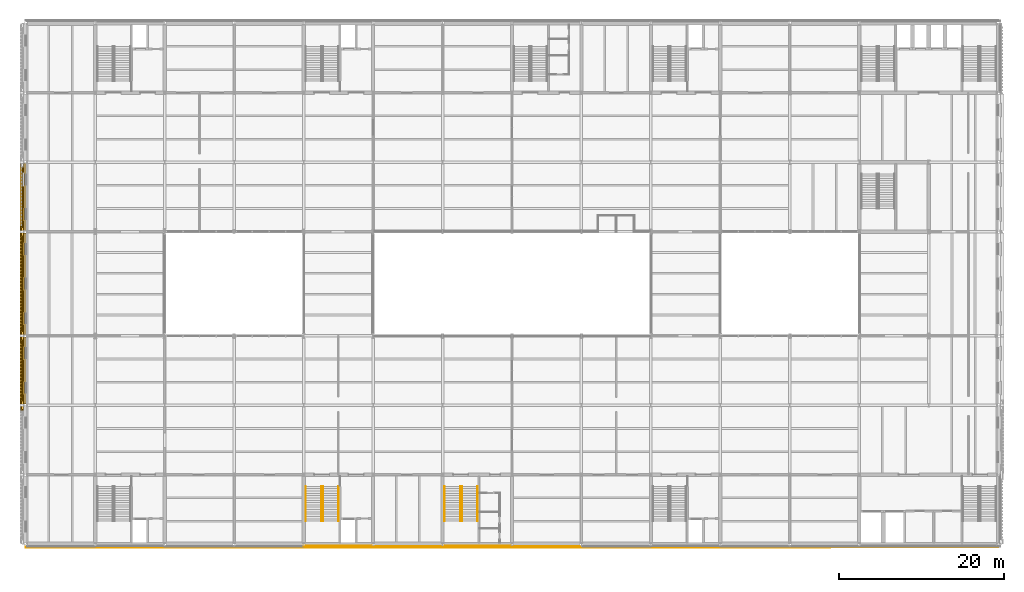
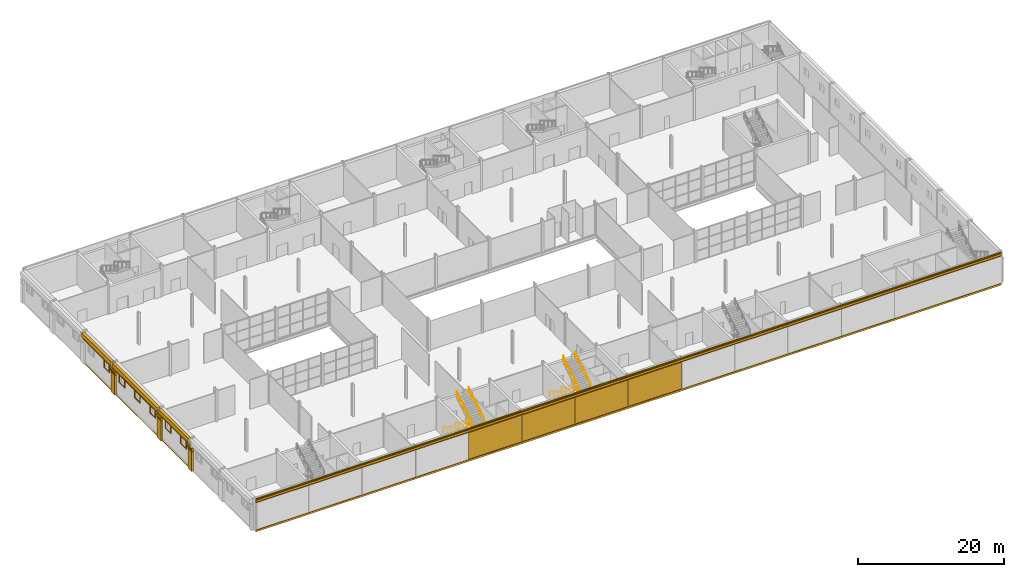
# One storey, part 40 of 57: 29 coverings, 8 railings.
"""IFC4 building model written with IfcOpenShell, lengths in metres."""

from ifc_helpers import new_model, si_unit, direction, frame, origin, origin_2d, place, context, subcontext, project, spatial, polyline, rectangle, circle, outline, extrude, material, layer, layer_set, type_object, element, save


model = new_model("IFC4")

# Units and contexts
model_context = context("Model", 3, precision=1e-05, world=origin(), true_north=direction((0.0, 1.0)))
body_context = subcontext(model_context, "Body", "Model", "MODEL_VIEW")
ifc_project = project(units=[si_unit("LENGTHUNIT", "METRE"), si_unit("AREAUNIT", "SQUARE_METRE"), si_unit("VOLUMEUNIT", "CUBIC_METRE"), si_unit("PLANEANGLEUNIT", "RADIAN"), si_unit("MASSUNIT", "GRAM", prefix="KILO")], contexts=[model_context])

# Site, building, storey
site_placement = place(None, origin())
site = spatial("IfcSite", under=ifc_project, at=site_placement, CompositionType="ELEMENT")
building_placement = place(site_placement, origin())
building = spatial("IfcBuilding", under=site, at=building_placement, Name="Galleria Vessillo Department Store", CompositionType="ELEMENT")
storey_placement = place(building_placement, frame((0.0, 0.0, 25.800048828125)))
storey = spatial("IfcBuildingStorey", under=building, at=storey_placement, Name="L05", CompositionType="ELEMENT", Elevation=25.800048828125)

# Coverings
ifc_material_1 = material(Name="Lime plaster (intonaco) ochre")
ifc_layer_1 = layer(ifc_material_1, 0.030029296875)
ifc_layer_set_1 = layer_set([ifc_layer_1], Name="Lime plaster (intonaco) ochre")
covering_type_1 = type_object("IfcCoveringType", Name="Lime plaster render 30 mm", PredefinedType="CLADDING", material=ifc_layer_set_1)
covering_1_placement = place(storey_placement, frame((37.800048828125, -0.215087890625, 0.0), z_axis=(0.0, 0.0, 1.0), x_axis=(1.0, 0.0, 0.0)))
element("IfcCovering", 1, at=covering_1_placement, inside=storey, type_object=covering_type_1, Name="Wall cladding S-CW-PC-SM-PARTY-L05", PredefinedType="CLADDING", context=body_context, shape_type="SweptSolid", body=[
    extrude(rectangle(XDim=8.33984375, YDim=0.030029296875, at=origin_2d()), origin(), (0.0, 0.0, 1.0), 5.39990234375),
])
for number, where, z_axis, x_axis, name in (
    (2, (46.199951171875, -0.264892578125, 0.0), (0.0, 0.0, 1.0), (1.0, 0.0, 0.0), "Wall cladding S-PS-L05-04"),
    (3, (54.599853515625, -0.215087890625, 0.0), (0.0, 0.0, 1.0), (1.0, 0.0, 0.0), "Wall cladding S-CW-PC-SC-PARTY-L05"),
    (4, (63.0, -0.264892578125, 0.0), (0.0, 0.0, 1.0), (1.0, 0.0, 0.0), "Wall cladding S-PS-L05-05"),
):
    element("IfcCovering", number, at=place(storey_placement, frame(where, z_axis=z_axis, x_axis=x_axis)), inside=storey, type_object=covering_type_1, Name=name, PredefinedType="CLADDING", context=body_context, shape_type="SweptSolid", body=[
        extrude(rectangle(XDim=8.340087890625, YDim=0.030029296875, at=origin_2d()), origin(), (0.0, 0.0, 1.0), 5.39990234375),
    ])
ifc_material_2 = material(Name="Botticino limestone ashlar", Category="masonry")
ifc_layer_2 = layer(ifc_material_2, 0.199951171875)
ifc_layer_set_2 = layer_set([ifc_layer_2], Name="Botticino limestone ashlar")
covering_type_2 = type_object("IfcCoveringType", Name="Limestone architrave band 200 x 300", PredefinedType="MOLDING", material=ifc_layer_set_2)
covering_2_placement = place(storey_placement, frame((-0.35009765625, 21.0, 3.94970703125), z_axis=(0.0, 0.0, 1.0), x_axis=(1.0, 0.0, 0.0)))
element("IfcCovering", 5, at=covering_2_placement, inside=storey, type_object=covering_type_2, Name="Architrave band W y=16.8-25.2", PredefinedType="MOLDING", context=body_context, shape_type="SweptSolid", body=[
    extrude(rectangle(XDim=0.199951171875, YDim=8.39990234375, at=origin_2d()), origin(), (0.0, 0.0, 1.0), 0.300048828125),
])
covering_3_placement = place(storey_placement, frame((-0.35009765625, 31.5, 3.94970703125), z_axis=(0.0, 0.0, 1.0), x_axis=(1.0, 0.0, 0.0)))
element("IfcCovering", 6, at=covering_3_placement, inside=storey, type_object=covering_type_2, Name="Architrave band W y=25.2-37.8", PredefinedType="MOLDING", context=body_context, shape_type="SweptSolid", body=[
    extrude(rectangle(XDim=0.199951171875, YDim=12.60009765625, at=origin_2d()), origin(), (0.0, 0.0, 1.0), 0.300048828125),
])
covering_4_placement = place(storey_placement, frame((-0.35009765625, 42.0, 3.94970703125), z_axis=(0.0, 0.0, 1.0), x_axis=(1.0, 0.0, 0.0)))
element("IfcCovering", 7, at=covering_4_placement, inside=storey, type_object=covering_type_2, Name="Architrave band W y=37.8-46.2", PredefinedType="MOLDING", context=body_context, shape_type="SweptSolid", body=[
    extrude(rectangle(XDim=0.199951171875, YDim=8.39990234375, at=origin_2d()), origin(), (0.0, 0.0, 1.0), 0.300048828125),
])
ifc_material_3 = material(Name="Botticino limestone ashlar", Category="masonry")
ifc_layer_3 = layer(ifc_material_3, 0.449951171875)
ifc_layer_set_3 = layer_set([ifc_layer_3], Name="Botticino limestone ashlar")
covering_type_3 = type_object("IfcCoveringType", Name="Limestone cornice 450 x 700", PredefinedType="MOLDING", material=ifc_layer_set_3)
covering_5_placement = place(storey_placement, frame((-0.47509765625, 21.0, 4.5), z_axis=(0.0, 0.0, 1.0), x_axis=(1.0, 0.0, 0.0)))
element("IfcCovering", 8, at=covering_5_placement, inside=storey, type_object=covering_type_3, Name="Cornice SW-L05-03", PredefinedType="MOLDING", context=body_context, shape_type="SweptSolid", body=[
    extrude(rectangle(XDim=0.449951171875, YDim=8.099853515625, at=origin_2d()), origin(), (0.0, 0.0, 1.0), 0.699951171875),
])
covering_6_placement = place(storey_placement, frame((-0.47509765625, 31.5, 4.5), z_axis=(0.0, 0.0, 1.0), x_axis=(1.0, 0.0, 0.0)))
element("IfcCovering", 9, at=covering_6_placement, inside=storey, type_object=covering_type_3, Name="Cornice SW-L05-04", PredefinedType="MOLDING", context=body_context, shape_type="SweptSolid", body=[
    extrude(rectangle(XDim=0.449951171875, YDim=12.300048828125, at=origin_2d()), origin(), (0.0, 0.0, 1.0), 0.699951171875),
])
covering_7_placement = place(storey_placement, frame((-0.47509765625, 42.0, 4.5), z_axis=(0.0, 0.0, 1.0), x_axis=(1.0, 0.0, 0.0)))
element("IfcCovering", 10, at=covering_7_placement, inside=storey, type_object=covering_type_3, Name="Cornice SW-L05-05", PredefinedType="MOLDING", context=body_context, shape_type="SweptSolid", body=[
    extrude(rectangle(XDim=0.449951171875, YDim=8.099853515625, at=origin_2d()), origin(), (0.0, 0.0, 1.0), 0.699951171875),
])
ifc_material_4 = material(Name="Botticino limestone ashlar", Category="masonry")
ifc_layer_4 = layer(ifc_material_4, 0.300048828125)
ifc_layer_set_4 = layer_set([ifc_layer_4], Name="Botticino limestone ashlar")
covering_type_4 = type_object("IfcCoveringType", Name="Limestone dentil course 300 x 250", PredefinedType="MOLDING", material=ifc_layer_set_4)
covering_8_placement = place(storey_placement, frame((0.0, 0.0, 4.25)))
element("IfcCovering", 11, at=covering_8_placement, inside=storey, type_object=covering_type_4, Name="Dentil course W y=16.8-25.2", PredefinedType="MOLDING", context=body_context, shape_type="SweptSolid", body=[
    extrude(outline(polyline([(-0.25, 16.800048828125), (-0.429931640625, 16.800048828125), (-0.429931640625, 17.090087890625), (-0.550048828125, 17.090087890625), (-0.550048828125, 17.31005859375), (-0.429931640625, 17.31005859375), (-0.429931640625, 17.489990234375), (-0.550048828125, 17.489990234375), (-0.550048828125, 17.7099609375), (-0.429931640625, 17.7099609375), (-0.429931640625, 17.889892578125), (-0.550048828125, 17.889892578125), (-0.550048828125, 18.110107421875), (-0.429931640625, 18.110107421875), (-0.429931640625, 18.2900390625), (-0.550048828125, 18.2900390625), (-0.550048828125, 18.510009765625), (-0.429931640625, 18.510009765625), (-0.429931640625, 18.68994140625), (-0.550048828125, 18.68994140625), (-0.550048828125, 18.909912109375), (-0.429931640625, 18.909912109375), (-0.429931640625, 19.090087890625), (-0.550048828125, 19.090087890625), (-0.550048828125, 19.31005859375), (-0.429931640625, 19.31005859375), (-0.429931640625, 19.489990234375), (-0.550048828125, 19.489990234375), (-0.550048828125, 19.7099609375), (-0.429931640625, 19.7099609375), (-0.429931640625, 19.889892578125), (-0.550048828125, 19.889892578125), (-0.550048828125, 20.110107421875), (-0.429931640625, 20.110107421875), (-0.429931640625, 20.2900390625), (-0.550048828125, 20.2900390625), (-0.550048828125, 20.510009765625), (-0.429931640625, 20.510009765625), (-0.429931640625, 20.68994140625), (-0.550048828125, 20.68994140625), (-0.550048828125, 20.909912109375), (-0.429931640625, 20.909912109375), (-0.429931640625, 21.090087890625), (-0.550048828125, 21.090087890625), (-0.550048828125, 21.31005859375), (-0.429931640625, 21.31005859375), (-0.429931640625, 21.489990234375), (-0.550048828125, 21.489990234375), (-0.550048828125, 21.7099609375), (-0.429931640625, 21.7099609375), (-0.429931640625, 21.889892578125), (-0.550048828125, 21.889892578125), (-0.550048828125, 22.110107421875), (-0.429931640625, 22.110107421875), (-0.429931640625, 22.2900390625), (-0.550048828125, 22.2900390625), (-0.550048828125, 22.510009765625), (-0.429931640625, 22.510009765625), (-0.429931640625, 22.68994140625), (-0.550048828125, 22.68994140625), (-0.550048828125, 22.909912109375), (-0.429931640625, 22.909912109375), (-0.429931640625, 23.090087890625), (-0.550048828125, 23.090087890625), (-0.550048828125, 23.31005859375), (-0.429931640625, 23.31005859375), (-0.429931640625, 23.489990234375), (-0.550048828125, 23.489990234375), (-0.550048828125, 23.7099609375), (-0.429931640625, 23.7099609375), (-0.429931640625, 23.889892578125), (-0.550048828125, 23.889892578125), (-0.550048828125, 24.110107421875), (-0.429931640625, 24.110107421875), (-0.429931640625, 24.2900390625), (-0.550048828125, 24.2900390625), (-0.550048828125, 24.510009765625), (-0.429931640625, 24.510009765625), (-0.429931640625, 24.68994140625), (-0.550048828125, 24.68994140625), (-0.550048828125, 24.909912109375), (-0.429931640625, 24.909912109375), (-0.429931640625, 25.199951171875), (-0.25, 25.199951171875), (-0.25, 16.800048828125)])), origin(), (0.0, 0.0, 1.0), 0.25),
])
covering_9_placement = place(storey_placement, frame((0.0, 0.0, 4.25)))
element("IfcCovering", 12, at=covering_9_placement, inside=storey, type_object=covering_type_4, Name="Dentil course W y=25.2-37.8", PredefinedType="MOLDING", context=body_context, shape_type="SweptSolid", body=[
    extrude(outline(polyline([(-0.25, 25.199951171875), (-0.429931640625, 25.199951171875), (-0.429931640625, 25.590087890625), (-0.550048828125, 25.590087890625), (-0.550048828125, 25.81005859375), (-0.429931640625, 25.81005859375), (-0.429931640625, 25.989990234375), (-0.550048828125, 25.989990234375), (-0.550048828125, 26.2099609375), (-0.429931640625, 26.2099609375), (-0.429931640625, 26.389892578125), (-0.550048828125, 26.389892578125), (-0.550048828125, 26.610107421875), (-0.429931640625, 26.610107421875), (-0.429931640625, 26.7900390625), (-0.550048828125, 26.7900390625), (-0.550048828125, 27.010009765625), (-0.429931640625, 27.010009765625), (-0.429931640625, 27.18994140625), (-0.550048828125, 27.18994140625), (-0.550048828125, 27.409912109375), (-0.429931640625, 27.409912109375), (-0.429931640625, 27.590087890625), (-0.550048828125, 27.590087890625), (-0.550048828125, 27.81005859375), (-0.429931640625, 27.81005859375), (-0.429931640625, 27.989990234375), (-0.550048828125, 27.989990234375), (-0.550048828125, 28.2099609375), (-0.429931640625, 28.2099609375), (-0.429931640625, 28.389892578125), (-0.550048828125, 28.389892578125), (-0.550048828125, 28.610107421875), (-0.429931640625, 28.610107421875), (-0.429931640625, 28.7900390625), (-0.550048828125, 28.7900390625), (-0.550048828125, 29.010009765625), (-0.429931640625, 29.010009765625), (-0.429931640625, 29.18994140625), (-0.550048828125, 29.18994140625), (-0.550048828125, 29.409912109375), (-0.429931640625, 29.409912109375), (-0.429931640625, 29.590087890625), (-0.550048828125, 29.590087890625), (-0.550048828125, 29.81005859375), (-0.429931640625, 29.81005859375), (-0.429931640625, 29.989990234375), (-0.550048828125, 29.989990234375), (-0.550048828125, 30.2099609375), (-0.429931640625, 30.2099609375), (-0.429931640625, 30.389892578125), (-0.550048828125, 30.389892578125), (-0.550048828125, 30.610107421875), (-0.429931640625, 30.610107421875), (-0.429931640625, 30.7900390625), (-0.550048828125, 30.7900390625), (-0.550048828125, 31.010009765625), (-0.429931640625, 31.010009765625), (-0.429931640625, 31.18994140625), (-0.550048828125, 31.18994140625), (-0.550048828125, 31.409912109375), (-0.429931640625, 31.409912109375), (-0.429931640625, 31.590087890625), (-0.550048828125, 31.590087890625), (-0.550048828125, 31.81005859375), (-0.429931640625, 31.81005859375), (-0.429931640625, 31.989990234375), (-0.550048828125, 31.989990234375), (-0.550048828125, 32.2099609375), (-0.429931640625, 32.2099609375), (-0.429931640625, 32.389892578125), (-0.550048828125, 32.389892578125), (-0.550048828125, 32.610107421875), (-0.429931640625, 32.610107421875), (-0.429931640625, 32.7900390625), (-0.550048828125, 32.7900390625), (-0.550048828125, 33.010009765625), (-0.429931640625, 33.010009765625), (-0.429931640625, 33.18994140625), (-0.550048828125, 33.18994140625), (-0.550048828125, 33.409912109375), (-0.429931640625, 33.409912109375), (-0.429931640625, 33.590087890625), (-0.550048828125, 33.590087890625), (-0.550048828125, 33.81005859375), (-0.429931640625, 33.81005859375), (-0.429931640625, 33.989990234375), (-0.550048828125, 33.989990234375), (-0.550048828125, 34.2099609375), (-0.429931640625, 34.2099609375), (-0.429931640625, 34.389892578125), (-0.550048828125, 34.389892578125), (-0.550048828125, 34.610107421875), (-0.429931640625, 34.610107421875), (-0.429931640625, 34.7900390625), (-0.550048828125, 34.7900390625), (-0.550048828125, 35.010009765625), (-0.429931640625, 35.010009765625), (-0.429931640625, 35.18994140625), (-0.550048828125, 35.18994140625), (-0.550048828125, 35.409912109375), (-0.429931640625, 35.409912109375), (-0.429931640625, 35.590087890625), (-0.550048828125, 35.590087890625), (-0.550048828125, 35.81005859375), (-0.429931640625, 35.81005859375), (-0.429931640625, 35.989990234375), (-0.550048828125, 35.989990234375), (-0.550048828125, 36.2099609375), (-0.429931640625, 36.2099609375), (-0.429931640625, 36.389892578125), (-0.550048828125, 36.389892578125), (-0.550048828125, 36.610107421875), (-0.429931640625, 36.610107421875), (-0.429931640625, 36.7900390625), (-0.550048828125, 36.7900390625), (-0.550048828125, 37.010009765625), (-0.429931640625, 37.010009765625), (-0.429931640625, 37.18994140625), (-0.550048828125, 37.18994140625), (-0.550048828125, 37.409912109375), (-0.429931640625, 37.409912109375), (-0.429931640625, 37.800048828125), (-0.25, 37.800048828125), (-0.25, 25.199951171875)])), origin(), (0.0, 0.0, 1.0), 0.25),
])
ifc_material_5 = material(Name="Botticino limestone ashlar", Category="masonry")
ifc_layer_5 = layer(ifc_material_5, 0.1201171875)
ifc_layer_set_5 = layer_set([ifc_layer_5], Name="Botticino limestone ashlar")
covering_type_5 = type_object("IfcCoveringType", Name="Limestone flank cornice 750 x 120", PredefinedType="MOLDING", material=ifc_layer_set_5)
covering_10_placement = place(storey_placement, frame((117.60009765625, 0.0, 4.64990234375), z_axis=(-1.0, 0.0, 0.0), x_axis=(0.0, -1.0, 0.0)))
element("IfcCovering", 13, at=covering_10_placement, inside=storey, type_object=covering_type_5, Name="Flank cornice S", PredefinedType="MOLDING", context=body_context, shape_type="SweptSolid", body=[
    extrude(outline(polyline([(0.280029296875, 0.0), (0.340087890625, 0.0), (0.340087890625, 0.10009765625), (0.39990234375, 0.159912109375), (0.39990234375, 0.340087890625), (0.39990234375, 0.5), (0.3701171875, 0.580078125), (0.3701171875, 0.75), (0.280029296875, 0.75), (0.280029296875, 0.0)])), origin(), (0.0, 0.0, 1.0), 117.60009765625),
])
ifc_material_6 = material(Name="Botticino limestone ashlar", Category="masonry")
ifc_layer_6 = layer(ifc_material_6, 0.080078125)
ifc_layer_set_6 = layer_set([ifc_layer_6], Name="Botticino limestone ashlar")
covering_type_6 = type_object("IfcCoveringType", Name="Limestone flank string course 300 x 80", PredefinedType="MOLDING", material=ifc_layer_set_6)
covering_11_placement = place(storey_placement, frame((117.60009765625, 0.0, -0.150146484375), z_axis=(-1.0, 0.0, 0.0), x_axis=(0.0, -1.0, 0.0)))
element("IfcCovering", 14, at=covering_11_placement, inside=storey, type_object=covering_type_6, Name="Flank string course S L05", PredefinedType="MOLDING", context=body_context, shape_type="SweptSolid", body=[
    extrude(outline(polyline([(0.280029296875, 0.0), (0.360107421875, 0.0), (0.360107421875, 0.300048828125), (0.280029296875, 0.300048828125), (0.280029296875, 0.0)])), origin(), (0.0, 0.0, 1.0), 117.60009765625),
])
ifc_material_7 = material(Name="Botticino limestone ashlar", Category="masonry")
ifc_layer_7 = layer(ifc_material_7, 0.280029296875)
ifc_layer_set_7 = layer_set([ifc_layer_7], Name="Botticino limestone ashlar")
covering_type_7 = type_object("IfcCoveringType", Name="Limestone giant pilaster 1000 x 280", PredefinedType="CLADDING", material=ifc_layer_set_7)
for number, where, z_axis, x_axis, name in (
    (15, (-0.389892578125, 16.800048828125, 0.0), (0.0, 0.0, 1.0), (1.0, 0.0, 0.0), "Giant pilaster W L05 y=16.8"),
    (16, (-0.389892578125, 25.199951171875, 0.0), (0.0, 0.0, 1.0), (1.0, 0.0, 0.0), "Giant pilaster W L05 y=25.2"),
    (17, (-0.389892578125, 37.800048828125, 0.0), (0.0, 0.0, 1.0), (1.0, 0.0, 0.0), "Giant pilaster W L05 y=37.8"),
):
    element("IfcCovering", number, at=place(storey_placement, frame(where, z_axis=z_axis, x_axis=x_axis)), inside=storey, type_object=covering_type_7, Name=name, PredefinedType="CLADDING", context=body_context, shape_type="SweptSolid", body=[
        extrude(rectangle(XDim=0.280029296875, YDim=1.0, at=origin_2d()), origin(), (0.0, 0.0, 1.0), 3.35009765625),
    ])
ifc_material_8 = material(Name="Botticino limestone ashlar", Category="masonry")
ifc_layer_8 = layer(ifc_material_8, 0.3798828125)
ifc_layer_set_8 = layer_set([ifc_layer_8], Name="Botticino limestone ashlar")
covering_type_8 = type_object("IfcCoveringType", Name="Limestone pilaster capital 1300 x 380 x 600", PredefinedType="MOLDING", material=ifc_layer_set_8)
for number, where, z_axis, x_axis, name in (
    (18, (0.0, 16.150146484375, 3.349853515625), (0.0, 1.0, 0.0), (-1.0, 0.0, 0.0), "Pilaster capital W y=16.8"),
    (19, (0.0, 24.550048828125, 3.349853515625), (0.0, 1.0, 0.0), (-1.0, 0.0, 0.0), "Pilaster capital W y=25.2"),
    (20, (0.0, 37.150146484375, 3.349853515625), (0.0, 1.0, 0.0), (-1.0, 0.0, 0.0), "Pilaster capital W y=37.8"),
):
    element("IfcCovering", number, at=place(storey_placement, frame(where, z_axis=z_axis, x_axis=x_axis)), inside=storey, type_object=covering_type_8, Name=name, PredefinedType="MOLDING", context=body_context, shape_type="SweptSolid", body=[
        extrude(outline(polyline([(0.25, 0.0), (0.530029296875, 0.0), (0.530029296875, 0.10009765625), (0.580078125, 0.179931640625), (0.580078125, 0.3798828125), (0.6298828125, 0.419921875), (0.6298828125, 0.60009765625), (0.25, 0.60009765625), (0.25, 0.0)])), origin(), (0.0, 0.0, 1.0), 1.300048828125),
    ])
ifc_material_9 = material(Name="Botticino limestone ashlar", Category="masonry")
ifc_layer_9 = layer(ifc_material_9, 0.14990234375)
ifc_layer_set_9 = layer_set([ifc_layer_9], Name="Botticino limestone ashlar")
covering_type_9 = type_object("IfcCoveringType", Name="Limestone slab-edge fascia 150 mm", PredefinedType="CLADDING", material=ifc_layer_set_9)
covering_12_placement = place(storey_placement, frame((-0.125, 21.0, -0.14990234375), z_axis=(0.0, 0.0, 1.0), x_axis=(1.0, 0.0, 0.0)))
element("IfcCovering", 21, at=covering_12_placement, inside=storey, type_object=covering_type_9, Name="Slab-edge fascia SW-L04-03", PredefinedType="CLADDING", context=body_context, shape_type="SweptSolid", body=[
    extrude(rectangle(XDim=0.25, YDim=8.099853515625, at=origin_2d()), origin(), (0.0, 0.0, 1.0), 0.14990234375),
])
covering_13_placement = place(storey_placement, frame((-0.125, 31.5, -0.14990234375), z_axis=(0.0, 0.0, 1.0), x_axis=(1.0, 0.0, 0.0)))
element("IfcCovering", 22, at=covering_13_placement, inside=storey, type_object=covering_type_9, Name="Slab-edge fascia SW-L04-04", PredefinedType="CLADDING", context=body_context, shape_type="SweptSolid", body=[
    extrude(rectangle(XDim=0.25, YDim=12.300048828125, at=origin_2d()), origin(), (0.0, 0.0, 1.0), 0.14990234375),
])
covering_14_placement = place(storey_placement, frame((-0.125, 42.0, -0.14990234375), z_axis=(0.0, 0.0, 1.0), x_axis=(1.0, 0.0, 0.0)))
element("IfcCovering", 23, at=covering_14_placement, inside=storey, type_object=covering_type_9, Name="Slab-edge fascia SW-L04-05", PredefinedType="CLADDING", context=body_context, shape_type="SweptSolid", body=[
    extrude(rectangle(XDim=0.25, YDim=8.099853515625, at=origin_2d()), origin(), (0.0, 0.0, 1.0), 0.14990234375),
])
ifc_material_10 = material(Name="Botticino limestone ashlar", Category="masonry")
ifc_layer_10 = layer(ifc_material_10, 0.10009765625)
ifc_layer_set_10 = layer_set([ifc_layer_10], Name="Botticino limestone ashlar")
covering_type_10 = type_object("IfcCoveringType", Name="Limestone window surround 100 mm", PredefinedType="CLADDING", material=ifc_layer_set_10)
covering_15_placement = place(storey_placement, frame((-0.25, 0.0, 2.699951171875), z_axis=(-1.0, 0.0, 0.0), x_axis=(0.0, -1.0, 0.0)))
element("IfcCovering", 24, at=covering_15_placement, inside=storey, type_object=covering_type_10, Name="Window surround W069", PredefinedType="CLADDING", context=body_context, shape_type="SweptSolid", body=[
    extrude(outline(polyline([(-18.080078125, 1.25), (-19.719970703125, 1.25), (-19.719970703125, -0.139892578125), (-18.080078125, -0.139892578125), (-18.080078125, 1.25)]), holes=[polyline([(-18.300048828125, 1.199951171875), (-19.5, 1.199951171875), (-19.5, 0.0), (-18.300048828125, 0.0), (-18.300048828125, 1.199951171875)])]), origin(), (0.0, 0.0, 1.0), 0.10009765625),
])
covering_16_placement = place(storey_placement, frame((-0.25, 0.0, 2.699951171875), z_axis=(-1.0, 0.0, 0.0), x_axis=(0.0, -1.0, 0.0)))
element("IfcCovering", 25, at=covering_16_placement, inside=storey, type_object=covering_type_10, Name="Window surround W070", PredefinedType="CLADDING", context=body_context, shape_type="SweptSolid", body=[
    extrude(outline(polyline([(-22.280029296875, 1.25), (-23.919921875, 1.25), (-23.919921875, -0.139892578125), (-22.280029296875, -0.139892578125), (-22.280029296875, 1.25)]), holes=[polyline([(-22.5, 1.199951171875), (-23.699951171875, 1.199951171875), (-23.699951171875, 0.0), (-22.5, 0.0), (-22.5, 1.199951171875)])]), origin(), (0.0, 0.0, 1.0), 0.10009765625),
])
covering_17_placement = place(storey_placement, frame((-0.25, 0.0, 2.699951171875), z_axis=(-1.0, 0.0, 0.0), x_axis=(0.0, -1.0, 0.0)))
element("IfcCovering", 26, at=covering_17_placement, inside=storey, type_object=covering_type_10, Name="Window surround W071", PredefinedType="CLADDING", context=body_context, shape_type="SweptSolid", body=[
    extrude(outline(polyline([(-26.47998046875, 1.25), (-28.1201171875, 1.25), (-28.1201171875, -0.139892578125), (-26.47998046875, -0.139892578125), (-26.47998046875, 1.25)]), holes=[polyline([(-26.699951171875, 1.199951171875), (-27.89990234375, 1.199951171875), (-27.89990234375, 0.0), (-26.699951171875, 0.0), (-26.699951171875, 1.199951171875)])]), origin(), (0.0, 0.0, 1.0), 0.10009765625),
])
covering_18_placement = place(storey_placement, frame((-0.25, 0.0, 2.699951171875), z_axis=(-1.0, 0.0, 0.0), x_axis=(0.0, -1.0, 0.0)))
element("IfcCovering", 27, at=covering_18_placement, inside=storey, type_object=covering_type_10, Name="Window surround W072", PredefinedType="CLADDING", context=body_context, shape_type="SweptSolid", body=[
    extrude(outline(polyline([(-30.679931640625, 1.25), (-32.31982421875, 1.25), (-32.31982421875, -0.139892578125), (-30.679931640625, -0.139892578125), (-30.679931640625, 1.25)]), holes=[polyline([(-30.89990234375, 1.199951171875), (-32.099853515625, 1.199951171875), (-32.099853515625, 0.0), (-30.89990234375, 0.0), (-30.89990234375, 1.199951171875)])]), origin(), (0.0, 0.0, 1.0), 0.10009765625),
])
covering_19_placement = place(storey_placement, frame((-0.25, 0.0, 2.699951171875), z_axis=(-1.0, 0.0, 0.0), x_axis=(0.0, -1.0, 0.0)))
element("IfcCovering", 28, at=covering_19_placement, inside=storey, type_object=covering_type_10, Name="Window surround W073", PredefinedType="CLADDING", context=body_context, shape_type="SweptSolid", body=[
    extrude(outline(polyline([(-34.880126953125, 1.25), (-36.52001953125, 1.25), (-36.52001953125, -0.139892578125), (-34.880126953125, -0.139892578125), (-34.880126953125, 1.25)]), holes=[polyline([(-35.10009765625, 1.199951171875), (-36.300048828125, 1.199951171875), (-36.300048828125, 0.0), (-35.10009765625, 0.0), (-35.10009765625, 1.199951171875)])]), origin(), (0.0, 0.0, 1.0), 0.10009765625),
])
covering_20_placement = place(storey_placement, frame((-0.25, 0.0, 2.699951171875), z_axis=(-1.0, 0.0, 0.0), x_axis=(0.0, -1.0, 0.0)))
element("IfcCovering", 29, at=covering_20_placement, inside=storey, type_object=covering_type_10, Name="Window surround W074", PredefinedType="CLADDING", context=body_context, shape_type="SweptSolid", body=[
    extrude(outline(polyline([(-39.080078125, 1.25), (-40.719970703125, 1.25), (-40.719970703125, -0.139892578125), (-39.080078125, -0.139892578125), (-39.080078125, 1.25)]), holes=[polyline([(-39.300048828125, 1.199951171875), (-40.5, 1.199951171875), (-40.5, 0.0), (-39.300048828125, 0.0), (-39.300048828125, 1.199951171875)])]), origin(), (0.0, 0.0, 1.0), 0.10009765625),
])

# Railings
ifc_material_11 = material(Name="Stainless steel tube", Category="steel")
railing_type = type_object("IfcRailingType", Name="Stair handrail steel tube 48 mm", PredefinedType="HANDRAIL", material=ifc_material_11)
for number, where, name in (
    (30, (35.739990234375, 7.0, 0.168701171875), "Handrail ST3 L05 flight 1A"),
    (31, (33.860107421875, 7.0, 0.168701171875), "Handrail ST3 L05 flight 1B"),
):
    element("IfcRailing", number, at=place(storey_placement, frame(where)), inside=storey, type_object=railing_type, Name=name, PredefinedType="HANDRAIL", context=body_context, shape_type="SweptSolid", body=[
        extrude(circle(Radius=0.02392578125, at=origin_2d()), frame((0.0, 0.0, 0.89599609375), z_axis=(0.0, -0.856486514401, 0.516169401116), x_axis=(1.0, 0.0, 0.0)), (0.0, 0.0, 1.0), 1.307861328125),
        extrude(circle(Radius=0.02392578125, at=origin_2d()), frame((0.0, -1.1201171875, 1.57080078125), z_axis=(0.0, -0.856436765236, 0.516251941548), x_axis=(1.0, 0.0, 0.0)), (0.0, 0.0, 1.0), 1.3076171875),
        extrude(circle(Radius=0.02392578125, at=origin_2d()), frame((0.0, -2.239990234375, 2.24609375), z_axis=(0.0, -0.856486514401, 0.516169401116), x_axis=(1.0, 0.0, 0.0)), (0.0, 0.0, 1.0), 1.307861328125),
        extrude(circle(Radius=0.02392578125, at=origin_2d()), frame((0.0, -3.360107421875, 2.9208984375), z_axis=(0.0, -0.856502732318, 0.516142489563), x_axis=(1.0, 0.0, 0.0)), (0.0, 0.0, 1.0), 0.98046875),
        extrude(circle(Radius=0.02099609375, at=origin_2d()), origin(), (0.0, 0.0, 1.0), 0.871826171875),
        extrude(circle(Radius=0.02099609375, at=origin_2d()), frame((0.0, -1.1201171875, 0.675048828125)), (0.0, 0.0, 1.0), 0.871826171875),
        extrude(circle(Radius=0.02099609375, at=origin_2d()), frame((0.0, -2.239990234375, 1.35009765625)), (0.0, 0.0, 1.0), 0.871826171875),
        extrude(circle(Radius=0.02099609375, at=origin_2d()), frame((0.0, -3.360107421875, 2.025146484375)), (0.0, 0.0, 1.0), 0.871826171875),
        extrude(circle(Radius=0.02099609375, at=origin_2d()), frame((0.0, -4.199951171875, 2.53125)), (0.0, 0.0, 1.0), 0.871826171875),
    ])
for number, where, name in (
    (32, (35.9599609375, 2.800048828125, 2.86865234375), "Handrail ST3 L05 flight 2A"),
    (33, (37.83984375, 2.800048828125, 2.86865234375), "Handrail ST3 L05 flight 2B"),
):
    element("IfcRailing", number, at=place(storey_placement, frame(where)), inside=storey, type_object=railing_type, Name=name, PredefinedType="HANDRAIL", context=body_context, shape_type="SweptSolid", body=[
        extrude(circle(Radius=0.02392578125, at=origin_2d()), frame((0.0, 0.0, 0.89599609375), z_axis=(0.0, 0.856486514401, 0.516169401116), x_axis=(-1.0, 0.0, 0.0)), (0.0, 0.0, 1.0), 1.307861328125),
        extrude(circle(Radius=0.02392578125, at=origin_2d()), frame((0.0, 1.1201171875, 1.57080078125), z_axis=(0.0, 0.856436765236, 0.516251941548), x_axis=(-1.0, 0.0, 0.0)), (0.0, 0.0, 1.0), 1.3076171875),
        extrude(circle(Radius=0.02392578125, at=origin_2d()), frame((0.0, 2.239990234375, 2.24609375), z_axis=(0.0, 0.856486514401, 0.516169401116), x_axis=(-1.0, 0.0, 0.0)), (0.0, 0.0, 1.0), 1.307861328125),
        extrude(circle(Radius=0.02392578125, at=origin_2d()), frame((0.0, 3.360107421875, 2.9208984375), z_axis=(0.0, 0.856502732318, 0.516142489563), x_axis=(-1.0, 0.0, 0.0)), (0.0, 0.0, 1.0), 0.98046875),
        extrude(circle(Radius=0.02099609375, at=origin_2d()), origin(), (0.0, 0.0, 1.0), 0.871826171875),
        extrude(circle(Radius=0.02099609375, at=origin_2d()), frame((0.0, 1.1201171875, 0.675048828125)), (0.0, 0.0, 1.0), 0.871826171875),
        extrude(circle(Radius=0.02099609375, at=origin_2d()), frame((0.0, 2.239990234375, 1.35009765625)), (0.0, 0.0, 1.0), 0.871826171875),
        extrude(circle(Radius=0.02099609375, at=origin_2d()), frame((0.0, 3.360107421875, 2.025146484375)), (0.0, 0.0, 1.0), 0.871826171875),
        extrude(circle(Radius=0.02099609375, at=origin_2d()), frame((0.0, 4.199951171875, 2.53125)), (0.0, 0.0, 1.0), 0.871826171875),
    ])
for number, where, name in (
    (34, (52.5400390625, 7.0, 0.168701171875), "Handrail ST10 L05 flight 1A"),
    (35, (50.66015625, 7.0, 0.168701171875), "Handrail ST10 L05 flight 1B"),
):
    element("IfcRailing", number, at=place(storey_placement, frame(where)), inside=storey, type_object=railing_type, Name=name, PredefinedType="HANDRAIL", context=body_context, shape_type="SweptSolid", body=[
        extrude(circle(Radius=0.02392578125, at=origin_2d()), frame((0.0, 0.0, 0.89599609375), z_axis=(0.0, -0.856486514401, 0.516169401116), x_axis=(1.0, 0.0, 0.0)), (0.0, 0.0, 1.0), 1.307861328125),
        extrude(circle(Radius=0.02392578125, at=origin_2d()), frame((0.0, -1.1201171875, 1.57080078125), z_axis=(0.0, -0.856436765236, 0.516251941548), x_axis=(1.0, 0.0, 0.0)), (0.0, 0.0, 1.0), 1.3076171875),
        extrude(circle(Radius=0.02392578125, at=origin_2d()), frame((0.0, -2.239990234375, 2.24609375), z_axis=(0.0, -0.856486514401, 0.516169401116), x_axis=(1.0, 0.0, 0.0)), (0.0, 0.0, 1.0), 1.307861328125),
        extrude(circle(Radius=0.02392578125, at=origin_2d()), frame((0.0, -3.360107421875, 2.9208984375), z_axis=(0.0, -0.856502732318, 0.516142489563), x_axis=(1.0, 0.0, 0.0)), (0.0, 0.0, 1.0), 0.98046875),
        extrude(circle(Radius=0.02099609375, at=origin_2d()), origin(), (0.0, 0.0, 1.0), 0.871826171875),
        extrude(circle(Radius=0.02099609375, at=origin_2d()), frame((0.0, -1.1201171875, 0.675048828125)), (0.0, 0.0, 1.0), 0.871826171875),
        extrude(circle(Radius=0.02099609375, at=origin_2d()), frame((0.0, -2.239990234375, 1.35009765625)), (0.0, 0.0, 1.0), 0.871826171875),
        extrude(circle(Radius=0.02099609375, at=origin_2d()), frame((0.0, -3.360107421875, 2.025146484375)), (0.0, 0.0, 1.0), 0.871826171875),
        extrude(circle(Radius=0.02099609375, at=origin_2d()), frame((0.0, -4.199951171875, 2.53125)), (0.0, 0.0, 1.0), 0.871826171875),
    ])
for number, where, name in (
    (36, (52.760009765625, 2.800048828125, 2.86865234375), "Handrail ST10 L05 flight 2A"),
    (37, (54.639892578125, 2.800048828125, 2.86865234375), "Handrail ST10 L05 flight 2B"),
):
    element("IfcRailing", number, at=place(storey_placement, frame(where)), inside=storey, type_object=railing_type, Name=name, PredefinedType="HANDRAIL", context=body_context, shape_type="SweptSolid", body=[
        extrude(circle(Radius=0.02392578125, at=origin_2d()), frame((0.0, 0.0, 0.89599609375), z_axis=(0.0, 0.856486514401, 0.516169401116), x_axis=(-1.0, 0.0, 0.0)), (0.0, 0.0, 1.0), 1.307861328125),
        extrude(circle(Radius=0.02392578125, at=origin_2d()), frame((0.0, 1.1201171875, 1.57080078125), z_axis=(0.0, 0.856436765236, 0.516251941548), x_axis=(-1.0, 0.0, 0.0)), (0.0, 0.0, 1.0), 1.3076171875),
        extrude(circle(Radius=0.02392578125, at=origin_2d()), frame((0.0, 2.239990234375, 2.24609375), z_axis=(0.0, 0.856486514401, 0.516169401116), x_axis=(-1.0, 0.0, 0.0)), (0.0, 0.0, 1.0), 1.307861328125),
        extrude(circle(Radius=0.02392578125, at=origin_2d()), frame((0.0, 3.360107421875, 2.9208984375), z_axis=(0.0, 0.856502732318, 0.516142489563), x_axis=(-1.0, 0.0, 0.0)), (0.0, 0.0, 1.0), 0.98046875),
        extrude(circle(Radius=0.02099609375, at=origin_2d()), origin(), (0.0, 0.0, 1.0), 0.871826171875),
        extrude(circle(Radius=0.02099609375, at=origin_2d()), frame((0.0, 1.1201171875, 0.675048828125)), (0.0, 0.0, 1.0), 0.871826171875),
        extrude(circle(Radius=0.02099609375, at=origin_2d()), frame((0.0, 2.239990234375, 1.35009765625)), (0.0, 0.0, 1.0), 0.871826171875),
        extrude(circle(Radius=0.02099609375, at=origin_2d()), frame((0.0, 3.360107421875, 2.025146484375)), (0.0, 0.0, 1.0), 0.871826171875),
        extrude(circle(Radius=0.02099609375, at=origin_2d()), frame((0.0, 4.199951171875, 2.53125)), (0.0, 0.0, 1.0), 0.871826171875),
    ])

save(model, "model.ifc")
